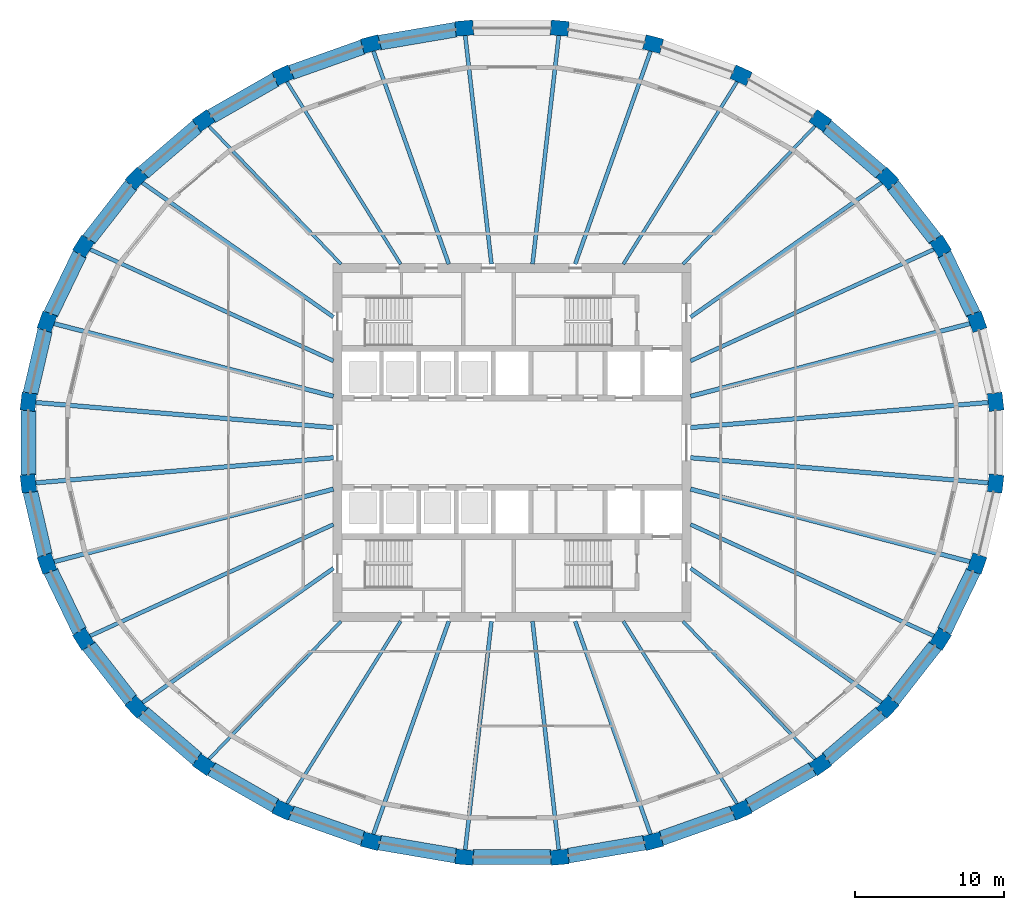
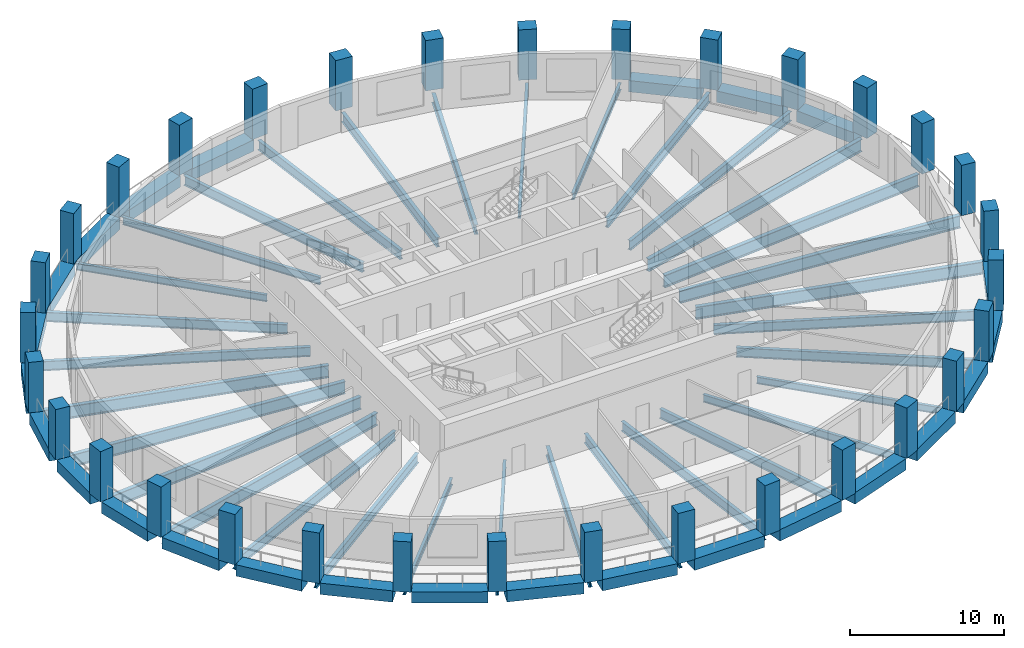
# One storey, part 1 of 10: 57 beams, 32 columns.
"""IFC4 building model written with IfcOpenShell, lengths in metres."""

import ifcopenshell
import ifcopenshell.guid

model = None  # the IFC model being written
_history = None  # IfcOwnerHistory: only IFC2X3 demands one
_inside = {}  # id of a spatial element -> (the spatial element, [elements in it])
_under = {}  # id of a project, library or spatial element -> (it, [spatial elements below it])
_declared = {}  # id of a project -> (the project, [libraries it declares])
_typed = {}  # id of a type object -> (the type object, [elements of that type])
_made_of = {}  # id of a material, layer set ... -> (it, [elements and type objects made of it])


def new_model(schema):
    """Start an empty IFC model of exactly this schema.

    Asked for "IFC4X3", IfcOpenShell would pick the latest addendum, in which some entities
    have other attributes; the version numbers below select the first issue.
    IFC2X3 requires an IfcOwnerHistory on every rooted entity: one is made here for all.
    """
    global model, _history
    if schema == "IFC4X3":
        model = ifcopenshell.file(schema_version=(4, 3, 0, 0))
    else:
        model = ifcopenshell.file(schema=schema)
    _inside.clear()
    _under.clear()
    _declared.clear()
    _typed.clear()
    _made_of.clear()
    _history = None
    if model.schema == "IFC2X3":
        org = make("IfcOrganization", Name="unknown")
        user = make(
            "IfcPersonAndOrganization",
            ThePerson=make("IfcPerson", FamilyName="unknown"),
            TheOrganization=org,
        )
        app = make(
            "IfcApplication",
            ApplicationDeveloper=org,
            Version="unknown",
            ApplicationFullName="unknown",
            ApplicationIdentifier="unknown",
        )
        _history = make(
            "IfcOwnerHistory",
            OwningUser=user,
            OwningApplication=app,
            ChangeAction="ADDED",
            CreationDate=0,
        )
    return model


def make(cls, **values):
    """One entity of the class cls with the attributes given. An attribute that is None is left unset."""
    return model.create_entity(
        cls, **{name: value for name, value in values.items() if value is not None}
    )


def rooted(cls, **values):
    """An entity with a GlobalId (a new one), such as an element, a storey or a relation."""
    return make(cls, GlobalId=ifcopenshell.guid.new(), OwnerHistory=_history, **values)


def si_unit(unit_type, name, prefix=None):
    """IfcSIUnit, for example si_unit("LENGTHUNIT", "METRE", prefix="MILLI")."""
    return make("IfcSIUnit", UnitType=unit_type, Prefix=prefix, Name=name)


def assignment(units):
    """IfcUnitAssignment: the units of a project."""
    return None if units is None else make("IfcUnitAssignment", Units=units)


def point(xyz):
    """IfcCartesianPoint."""
    return None if xyz is None else make("IfcCartesianPoint", Coordinates=xyz)


def direction(xyz):
    """IfcDirection."""
    return None if xyz is None else make("IfcDirection", DirectionRatios=xyz)


def frame(location, z_axis=None, x_axis=None):
    """IfcAxis2Placement3D, a coordinate frame: its origin and axes. An axis left out is left unset."""
    return make(
        "IfcAxis2Placement3D",
        Location=point(location),
        Axis=direction(z_axis),
        RefDirection=direction(x_axis),
    )


def frame_2d(location, x_axis=None):
    """IfcAxis2Placement2D, a coordinate frame in the plane: its origin and x axis."""
    return make(
        "IfcAxis2Placement2D", Location=point(location), RefDirection=direction(x_axis)
    )


def origin():
    """The frame at (0, 0, 0) with its axes left unset."""
    return frame((0.0, 0.0, 0.0))


def origin_2d():
    """The frame at (0, 0) in the plane with its x axis left unset."""
    return frame_2d((0.0, 0.0))


def place(relative_to, where):
    """IfcLocalPlacement: puts the frame where relative to a parent placement (None: the world)."""
    return make(
        "IfcLocalPlacement", PlacementRelTo=relative_to, RelativePlacement=where
    )


def context(
    kind, dimensions, precision=None, world=None, true_north=None, identifier=None
):
    """IfcGeometricRepresentationContext, for example the 3D "Model" context."""
    return make(
        "IfcGeometricRepresentationContext",
        ContextIdentifier=identifier,
        ContextType=kind,
        CoordinateSpaceDimension=dimensions,
        Precision=precision,
        WorldCoordinateSystem=world,
        TrueNorth=true_north,
    )


def subcontext(parent, identifier, kind, view, scale=None):
    """IfcGeometricRepresentationSubContext, for example "Body" below "Model"."""
    return make(
        "IfcGeometricRepresentationSubContext",
        ContextIdentifier=identifier,
        ContextType=kind,
        ParentContext=parent,
        TargetScale=scale,
        TargetView=view,
    )


def project(units=None, contexts=None):
    """IfcProject with its units and contexts."""
    return rooted(
        "IfcProject",
        Name="project",
        RepresentationContexts=contexts,
        UnitsInContext=assignment(units),
    )


def spatial(cls, under=None, at=None, **own):
    """A site, building, storey or space (cls), placed at a placement, below another one or the project."""
    s = rooted(cls, ObjectPlacement=at, **own)
    if under is not None:
        _under.setdefault(under.id(), (under, []))[1].append(s)
    return s


def profile(cls, at=None, kind="AREA", **sizes):
    """A parametric profile (cls). Its sizes go by their IFC names, for example OverallWidth=200.0."""
    return make(cls, ProfileType=kind, Position=at, **sizes)


def rectangle(**sizes):
    """IfcRectangleProfileDef."""
    return profile("IfcRectangleProfileDef", **sizes)


def i_section(**sizes):
    """IfcIShapeProfileDef."""
    return profile("IfcIShapeProfileDef", **sizes)


def extrude(swept, where, along, depth):
    """IfcExtrudedAreaSolid: the profile swept, set in the frame where, extruded along a direction by depth."""
    return make(
        "IfcExtrudedAreaSolid",
        SweptArea=swept,
        Position=where,
        ExtrudedDirection=direction(along),
        Depth=depth,
    )


def shape(context_of_items, identifier, shape_type, items):
    """IfcShapeRepresentation: the items that make up one representation, for example the "Body"."""
    return make(
        "IfcShapeRepresentation",
        ContextOfItems=context_of_items,
        RepresentationIdentifier=identifier,
        RepresentationType=shape_type,
        Items=items,
    )


def material(Name=None, Category=None):
    """IfcMaterial."""
    return make("IfcMaterial", Name=Name, Category=Category)


def material_profile(
    of_material, cross_section, Name=None, Category=None, Priority=None
):
    """IfcMaterialProfile: a cross section and its material."""
    return make(
        "IfcMaterialProfile",
        Name=Name,
        Material=of_material,
        Profile=cross_section,
        Priority=Priority,
        Category=Category,
    )


def profile_set(profiles, Name=None, composite=None):
    """IfcMaterialProfileSet."""
    return make(
        "IfcMaterialProfileSet",
        Name=Name,
        MaterialProfiles=profiles,
        CompositeProfile=composite,
    )


def made_of(thing, what):
    """Note that an element or type object is made of a material, layer set ...; save() writes the relation."""
    if what is not None:
        _made_of.setdefault(what.id(), (what, []))[1].append(thing)
    return thing


def type_object(cls, material=None, **own):
    """A type object (cls), such as IfcWallType, which elements share."""
    return made_of(rooted(cls, **own), material)


def element(
    cls,
    number,
    at=None,
    inside=None,
    cuts=None,
    type_object=None,
    material=None,
    context=None,
    identifier="Body",
    shape_type=None,
    held_by="IfcProductDefinitionShape",
    body=None,
    shapes=None,
    **own,
):
    """One element of the class cls, such as IfcWall. Its Tag is "e" and its number.

    at: its placement. inside: the storey or other place that contains it. cuts: it is an
    opening in that element (IfcRelVoidsElement). A single representation is given by context,
    identifier, shape_type and body (its items); several are given by shapes. held_by: the class
    of the entity that holds the representations. save() writes the other relations.
    """
    e = rooted(cls, Tag="e%d" % number, ObjectPlacement=at, **own)
    if body is not None:
        shapes = [shape(context, identifier, shape_type, body)]
    if shapes is not None:
        e.Representation = make(held_by, Representations=shapes)
    if inside is not None:
        _inside.setdefault(inside.id(), (inside, []))[1].append(e)
    if cuts is not None:
        rooted(
            "IfcRelVoidsElement", RelatingBuildingElement=cuts, RelatedOpeningElement=e
        )
    if type_object is not None:
        _typed.setdefault(type_object.id(), (type_object, []))[1].append(e)
    return made_of(e, material)


def aggregate(whole, parts):
    """IfcRelAggregates: a whole, such as a stair, and the parts it consists of."""
    return rooted("IfcRelAggregates", RelatingObject=whole, RelatedObjects=parts)


def save(model, path):
    """Write the relations noted so far, then the file.

    IfcRelAggregates (storeys below a building ...), IfcRelContainedInSpatialStructure (elements
    in a storey), IfcRelDefinesByType, IfcRelAssociatesMaterial and IfcRelDeclares: one each for
    every whole, place, type object, material and project.
    """
    for whole, parts in _under.values():
        aggregate(whole, parts)
    for where, things in _inside.values():
        rooted(
            "IfcRelContainedInSpatialStructure",
            RelatedElements=things,
            RelatingStructure=where,
        )
    for kind, things in _typed.values():
        rooted("IfcRelDefinesByType", RelatedObjects=things, RelatingType=kind)
    for what, things in _made_of.values():
        rooted("IfcRelAssociatesMaterial", RelatedObjects=things, RelatingMaterial=what)
    for by, libraries in _declared.values():
        rooted("IfcRelDeclares", RelatingContext=by, RelatedDefinitions=libraries)
    model.write(path)


model = new_model("IFC4")

# Units and contexts
model_context = context("Model", 3, precision=1e-05, world=origin(), true_north=direction((0.0, 1.0)))
body_context = subcontext(model_context, "Body", "Model", "MODEL_VIEW")
ifc_project = project(units=[si_unit("LENGTHUNIT", "METRE"), si_unit("AREAUNIT", "SQUARE_METRE"), si_unit("VOLUMEUNIT", "CUBIC_METRE"), si_unit("PLANEANGLEUNIT", "RADIAN"), si_unit("MASSUNIT", "GRAM", prefix="KILO")], contexts=[model_context])

# Site, building, storey
site_placement = place(None, origin())
site = spatial("IfcSite", under=ifc_project, at=site_placement, CompositionType="ELEMENT")
building_placement = place(site_placement, origin())
building = spatial("IfcBuilding", under=site, at=building_placement, Name="Halqa Exchange Tower", CompositionType="ELEMENT")
storey_placement = place(building_placement, frame((0.0, 0.0, 190.89990234375)))
storey = spatial("IfcBuildingStorey", under=building, at=storey_placement, Name="L43", CompositionType="ELEMENT", Elevation=190.89990234375)

# Columns
ifc_material_1 = material(Name="Concrete C60/75", Category="concrete")
ifc_material_profile_1 = material_profile(ifc_material_1, rectangle(XDim=1.199951171875, YDim=1.0, at=origin_2d()), Name="1200 x 1000")
ifc_profile_set_1 = profile_set([ifc_material_profile_1], Name="Concrete C60/75")
column_type = type_object("IfcColumnType", Name="RC ring column 1200 x 1000 C60/75", PredefinedType="COLUMN", material=ifc_profile_set_1)
for number, where, z_axis, x_axis, name in (
    (1, (32.422119140625, 2.737060546875, 0.0), (0.0, 0.0, 1.0), (-0.114149986297, 0.993463527578, 0.0), "Ring column 1"),
    (2, (31.176025390625, 8.106201171875, 0.0), (0.0, 0.0, 1.0), (-0.333625878908, 0.942705560036, 0.0), "Ring column 2"),
    (3, (28.73193359375, 13.163818359375, 0.0), (0.0, 0.0, 1.0), (-0.529144939165, 0.848531456904, 0.0), "Ring column 3"),
    (4, (25.183837890625, 17.71533203125, 0.0), (0.0, 0.0, 1.0), (-0.691576091297, 0.722303613411, 0.0), "Ring column 4"),
    (5, (20.667724609375, 21.586181640625, 0.0), (0.0, 0.0, 1.0), (-0.817905775493, 0.575352189893, 0.0), "Ring column 5"),
    (6, (15.357666015625, 24.62744140625, 0.0), (0.0, 0.0, 1.0), (-0.909125641902, 0.416521988898, 0.0), "Ring column 6"),
    (7, (9.457275390625, 26.722412109375, 0.0), (0.0, 0.0, 1.0), (-0.96782082117, 0.251640334823, 0.0), "Ring column 7"),
    (8, (3.193359375, 27.790283203125, 0.0), (0.0, 0.0, 1.0), (-0.99645595943, 0.084116115675, 0.0), "Ring column 8"),
    (9, (-3.193359375, 27.790283203125, 0.0), (0.0, 0.0, 1.0), (-0.99645595943, -0.084116115675, 0.0), "Ring column 9"),
    (10, (-9.457275390625, 26.722412109375, 0.0), (0.0, 0.0, 1.0), (-0.96782082117, -0.251640334823, 0.0), "Ring column 10"),
    (11, (-15.357666015625, 24.62744140625, 0.0), (0.0, 0.0, 1.0), (-0.909125641902, -0.416521988898, 0.0), "Ring column 11"),
    (12, (-20.667724609375, 21.586181640625, 0.0), (0.0, 0.0, 1.0), (-0.817905775493, -0.575352189893, 0.0), "Ring column 12"),
    (13, (-25.183837890625, 17.71533203125, 0.0), (0.0, 0.0, 1.0), (-0.691576091297, -0.722303613411, 0.0), "Ring column 13"),
    (14, (-28.73193359375, 13.163818359375, 0.0), (0.0, 0.0, 1.0), (-0.529144939165, -0.848531456904, 0.0), "Ring column 14"),
    (15, (-31.176025390625, 8.106201171875, 0.0), (0.0, 0.0, 1.0), (-0.333625878908, -0.942705560036, 0.0), "Ring column 15"),
    (16, (-32.422119140625, 2.737060546875, 0.0), (0.0, 0.0, 1.0), (-0.114149986297, -0.993463527578, 0.0), "Ring column 16"),
    (17, (-32.422119140625, -2.737060546875, 0.0), (0.0, 0.0, 1.0), (0.114149986297, -0.993463527578, 0.0), "Ring column 17"),
    (18, (-31.176025390625, -8.106201171875, 0.0), (0.0, 0.0, 1.0), (0.333625878908, -0.942705560036, 0.0), "Ring column 18"),
    (19, (-28.73193359375, -13.163818359375, 0.0), (0.0, 0.0, 1.0), (0.529144939165, -0.848531456904, 0.0), "Ring column 19"),
    (20, (-25.183837890625, -17.71533203125, 0.0), (0.0, 0.0, 1.0), (0.691576091297, -0.722303613411, 0.0), "Ring column 20"),
    (21, (-20.667724609375, -21.586181640625, 0.0), (0.0, 0.0, 1.0), (0.817905775493, -0.575352189893, 0.0), "Ring column 21"),
    (22, (-15.357666015625, -24.62744140625, 0.0), (0.0, 0.0, 1.0), (0.909125641902, -0.416521988898, 0.0), "Ring column 22"),
    (23, (-9.457275390625, -26.722412109375, 0.0), (0.0, 0.0, 1.0), (0.96782082117, -0.251640334823, 0.0), "Ring column 23"),
    (24, (-3.193359375, -27.790283203125, 0.0), (0.0, 0.0, 1.0), (0.99645595943, -0.084116115675, 0.0), "Ring column 24"),
    (25, (3.193359375, -27.790283203125, 0.0), (0.0, 0.0, 1.0), (0.99645595943, 0.084116115675, 0.0), "Ring column 25"),
    (26, (9.457275390625, -26.722412109375, 0.0), (0.0, 0.0, 1.0), (0.96782082117, 0.251640334823, 0.0), "Ring column 26"),
    (27, (15.357666015625, -24.62744140625, 0.0), (0.0, 0.0, 1.0), (0.909125641902, 0.416521988898, 0.0), "Ring column 27"),
    (28, (20.667724609375, -21.586181640625, 0.0), (0.0, 0.0, 1.0), (0.817905775493, 0.575352189893, 0.0), "Ring column 28"),
    (29, (25.183837890625, -17.71533203125, 0.0), (0.0, 0.0, 1.0), (0.691576091297, 0.722303613411, 0.0), "Ring column 29"),
    (30, (28.73193359375, -13.163818359375, 0.0), (0.0, 0.0, 1.0), (0.529144939165, 0.848531456904, 0.0), "Ring column 30"),
    (31, (31.176025390625, -8.106201171875, 0.0), (0.0, 0.0, 1.0), (0.333625878908, 0.942705560036, 0.0), "Ring column 31"),
    (32, (32.422119140625, -2.737060546875, 0.0), (0.0, 0.0, 1.0), (0.114149986297, 0.993463527578, 0.0), "Ring column 32"),
):
    element("IfcColumn", number, at=place(storey_placement, frame(where, z_axis=z_axis, x_axis=x_axis)), inside=storey, type_object=column_type, Name=name, PredefinedType="COLUMN", context=body_context, shape_type="SweptSolid", body=[
        extrude(rectangle(XDim=1.199951171875, YDim=1.0, at=origin_2d()), origin(), (0.0, 0.0, 1.0), 4.0),
    ])

# Beams
ifc_material_2 = material(Name="Steel S355", Category="steel")
ifc_material_profile_2 = material_profile(ifc_material_2, i_section(OverallWidth=0.300048828125, OverallDepth=0.989990234375, WebThickness=0.0166015625, FlangeThickness=0.031005859375, FilletRadius=0.030029296875, at=origin_2d()), Name="HEA 1000")
ifc_profile_set_2 = profile_set([ifc_material_profile_2], Name="Steel S355")
beam_type_1 = type_object("IfcBeamType", Name="Floor beam HEA 1000", PredefinedType="BEAM", material=ifc_profile_set_2)
beam_1_placement = place(storey_placement, frame((11.972412109375, 1.0107421875, -0.794921875), z_axis=(0.996455519118, 0.084121331533, 0.0), x_axis=(-0.084121331533, 0.996455519118, 0.0)))
element("IfcBeam", 33, at=beam_1_placement, inside=storey, type_object=beam_type_1, Name="Radial beam 1", PredefinedType="BEAM", context=body_context, shape_type="SweptSolid", body=[
    extrude(i_section(OverallWidth=0.300048828125, OverallDepth=0.989990234375, WebThickness=0.0166015625, FlangeThickness=0.031005859375, FilletRadius=0.030029296875, at=origin_2d()), origin(), (0.0, 0.0, 1.0), 20.150390625),
])
for number, where, z_axis, x_axis, name in (
    (34, (11.97119140625, 3.112548828125, -0.794921875), (0.967819636099, 0.251644892619, 0.0), (-0.251644892619, 0.967819636099, 0.0), "Radial beam 2"),
    (35, (-11.97119140625, 3.112548828125, -0.794921875), (-0.967819636099, 0.251644892619, 0.0), (-0.251644892619, -0.967819636099, 0.0), "Radial beam 15"),
):
    element("IfcBeam", number, at=place(storey_placement, frame(where, z_axis=z_axis, x_axis=x_axis)), inside=storey, type_object=beam_type_1, Name=name, PredefinedType="BEAM", context=body_context, shape_type="SweptSolid", body=[
        extrude(i_section(OverallWidth=0.300048828125, OverallDepth=0.989990234375, WebThickness=0.0166015625, FlangeThickness=0.031005859375, FilletRadius=0.030029296875, at=origin_2d()), origin(), (0.0, 0.0, 1.0), 19.469482421875),
    ])
for number, where, z_axis, x_axis, name in (
    (36, (-11.972412109375, 1.0107421875, -0.794921875), (-0.996455519118, 0.084121331533, 0.0), (-0.084121331533, -0.996455519118, 0.0), "Radial beam 16"),
    (37, (-11.972412109375, -1.0107421875, -0.794921875), (-0.996455519118, -0.084121331533, 0.0), (0.084121331533, -0.996455519118, 0.0), "Radial beam 17"),
):
    element("IfcBeam", number, at=place(storey_placement, frame(where, z_axis=z_axis, x_axis=x_axis)), inside=storey, type_object=beam_type_1, Name=name, PredefinedType="BEAM", context=body_context, shape_type="SweptSolid", body=[
        extrude(i_section(OverallWidth=0.300048828125, OverallDepth=0.989990234375, WebThickness=0.0166015625, FlangeThickness=0.031005859375, FilletRadius=0.030029296875, at=origin_2d()), origin(), (0.0, 0.0, 1.0), 20.150390625),
    ])
for number, where, z_axis, x_axis, name in (
    (38, (-11.97119140625, -3.112548828125, -0.794921875), (-0.967819636099, -0.251644892619, 0.0), (0.251644892619, -0.967819636099, 0.0), "Radial beam 18"),
    (39, (11.97119140625, -3.112548828125, -0.794921875), (0.967819636099, -0.251644892619, 0.0), (0.251644892619, 0.967819636099, 0.0), "Radial beam 31"),
):
    element("IfcBeam", number, at=place(storey_placement, frame(where, z_axis=z_axis, x_axis=x_axis)), inside=storey, type_object=beam_type_1, Name=name, PredefinedType="BEAM", context=body_context, shape_type="SweptSolid", body=[
        extrude(i_section(OverallWidth=0.300048828125, OverallDepth=0.989990234375, WebThickness=0.0166015625, FlangeThickness=0.031005859375, FilletRadius=0.030029296875, at=origin_2d()), origin(), (0.0, 0.0, 1.0), 19.469482421875),
    ])
beam_2_placement = place(storey_placement, frame((11.972412109375, -1.0107421875, -0.794921875), z_axis=(0.996455519118, -0.084121331533, 0.0), x_axis=(0.084121331533, 0.996455519118, 0.0)))
element("IfcBeam", 40, at=beam_2_placement, inside=storey, type_object=beam_type_1, Name="Radial beam 32", PredefinedType="BEAM", context=body_context, shape_type="SweptSolid", body=[
    extrude(i_section(OverallWidth=0.300048828125, OverallDepth=0.989990234375, WebThickness=0.0166015625, FlangeThickness=0.031005859375, FilletRadius=0.030029296875, at=origin_2d()), origin(), (0.0, 0.0, 1.0), 20.150390625),
])
ifc_material_profile_3 = material_profile(ifc_material_2, i_section(OverallWidth=0.2099609375, OverallDepth=0.550048828125, WebThickness=0.010986328125, FlangeThickness=0.01708984375, FilletRadius=0.02392578125, at=origin_2d()), Name="IPE 550")
ifc_profile_set_3 = profile_set([ifc_material_profile_3], Name="Steel S355")
beam_type_2 = type_object("IfcBeamType", Name="Floor beam IPE 550", PredefinedType="BEAM", material=ifc_profile_set_3)
for number, where, z_axis, x_axis, name in (
    (41, (11.462646484375, 11.971923828125, -0.574951171875), (0.691565841916, 0.722313426634, 0.0), (-0.722313426634, 0.691565841916, 0.0), "Radial beam 5"),
    (42, (-11.462646484375, 11.971923828125, -0.574951171875), (-0.691565841916, 0.722313426634, 0.0), (-0.722313426634, -0.691565841916, 0.0), "Radial beam 12"),
    (43, (-11.462646484375, -11.971923828125, -0.574951171875), (-0.691565841916, -0.722313426634, 0.0), (0.722313426634, -0.691565841916, 0.0), "Radial beam 21"),
    (44, (11.462646484375, -11.971923828125, -0.574951171875), (0.691565841916, -0.722313426634, 0.0), (0.722313426634, 0.691565841916, 0.0), "Radial beam 28"),
):
    element("IfcBeam", number, at=place(storey_placement, frame(where, z_axis=z_axis, x_axis=x_axis)), inside=storey, type_object=beam_type_2, Name=name, PredefinedType="BEAM", context=body_context, shape_type="SweptSolid", body=[
        extrude(i_section(OverallWidth=0.2099609375, OverallDepth=0.550048828125, WebThickness=0.010986328125, FlangeThickness=0.01708984375, FilletRadius=0.02392578125, at=origin_2d()), origin(), (0.0, 0.0, 1.0), 12.9345703125),
    ])
ifc_material_profile_4 = material_profile(ifc_material_2, i_section(OverallWidth=0.219970703125, OverallDepth=0.60009765625, WebThickness=0.011962890625, FlangeThickness=0.01904296875, FilletRadius=0.02392578125, at=origin_2d()), Name="IPE 600")
ifc_profile_set_4 = profile_set([ifc_material_profile_4], Name="Steel S355")
beam_type_3 = type_object("IfcBeamType", Name="Floor beam IPE 600", PredefinedType="BEAM", material=ifc_profile_set_4)
for number, where, z_axis, x_axis, name in (
    (45, (7.4658203125, 11.972412109375, -0.599853515625), (0.529145816582, 0.848530909746, 0.0), (-0.848530909746, 0.529145816582, 0.0), "Radial beam 6"),
    (46, (-7.4658203125, 11.972412109375, -0.599853515625), (-0.529145816582, 0.848530909746, 0.0), (-0.848530909746, -0.529145816582, 0.0), "Radial beam 11"),
    (47, (-7.4658203125, -11.972412109375, -0.599853515625), (-0.529145816582, -0.848530909746, 0.0), (0.848530909746, -0.529145816582, 0.0), "Radial beam 22"),
    (48, (7.4658203125, -11.972412109375, -0.599853515625), (0.529145816582, -0.848530909746, 0.0), (0.848530909746, 0.529145816582, 0.0), "Radial beam 27"),
):
    element("IfcBeam", number, at=place(storey_placement, frame(where, z_axis=z_axis, x_axis=x_axis)), inside=storey, type_object=beam_type_3, Name=name, PredefinedType="BEAM", context=body_context, shape_type="SweptSolid", body=[
        extrude(i_section(OverallWidth=0.219970703125, OverallDepth=0.60009765625, WebThickness=0.011962890625, FlangeThickness=0.01904296875, FilletRadius=0.02392578125, at=origin_2d()), origin(), (0.0, 0.0, 1.0), 14.538330078125),
    ])
ifc_material_profile_5 = material_profile(ifc_material_2, i_section(OverallWidth=0.264892578125, OverallDepth=0.7529296875, WebThickness=0.01318359375, FlangeThickness=0.01708984375, FilletRadius=0.01708984375, at=origin_2d()), Name="IPE 750x147")
ifc_profile_set_5 = profile_set([ifc_material_profile_5], Name="Steel S355")
beam_type_4 = type_object("IfcBeamType", Name="Floor beam IPE 750x147", PredefinedType="BEAM", material=ifc_profile_set_5)
beam_3_placement = place(storey_placement, frame((11.972412109375, 5.4853515625, -0.676513671875), z_axis=(0.909129033384, 0.416514586369, 0.0), x_axis=(-0.416514586369, 0.909129033384, 0.0)))
element("IfcBeam", 49, at=beam_3_placement, inside=storey, type_object=beam_type_4, Name="Radial beam 3", PredefinedType="BEAM", context=body_context, shape_type="SweptSolid", body=[
    extrude(i_section(OverallWidth=0.264892578125, OverallDepth=0.7529296875, WebThickness=0.01318359375, FlangeThickness=0.01708984375, FilletRadius=0.01708984375, at=origin_2d()), origin(), (0.0, 0.0, 1.0), 18.058837890625),
])
beam_4_placement = place(storey_placement, frame((11.97216796875, 8.421630859375, -0.676513671875), z_axis=(0.817902974143, 0.5753561722, 0.0), x_axis=(-0.5753561722, 0.817902974143, 0.0)))
element("IfcBeam", 50, at=beam_4_placement, inside=storey, type_object=beam_type_4, Name="Radial beam 4", PredefinedType="BEAM", context=body_context, shape_type="SweptSolid", body=[
    extrude(i_section(OverallWidth=0.264892578125, OverallDepth=0.7529296875, WebThickness=0.01318359375, FlangeThickness=0.01708984375, FilletRadius=0.01708984375, at=origin_2d()), origin(), (0.0, 0.0, 1.0), 15.777099609375),
])
beam_5_placement = place(storey_placement, frame((4.23681640625, 11.9716796875, -0.676513671875), z_axis=(0.333634381402, 0.942702550939, 0.0), x_axis=(-0.942702550939, 0.333634381402, 0.0)))
element("IfcBeam", 51, at=beam_5_placement, inside=storey, type_object=beam_type_4, Name="Radial beam 7", PredefinedType="BEAM", context=body_context, shape_type="SweptSolid", body=[
    extrude(i_section(OverallWidth=0.264892578125, OverallDepth=0.7529296875, WebThickness=0.01318359375, FlangeThickness=0.01708984375, FilletRadius=0.01708984375, at=origin_2d()), origin(), (0.0, 0.0, 1.0), 15.273193359375),
])
for number, where, z_axis, x_axis, name in (
    (52, (1.375732421875, 11.972900390625, -0.676513671875), (0.114161639425, 0.993462188553, 0.0), (-0.993462188553, 0.114161639425, 0.0), "Radial beam 8"),
    (53, (-1.375732421875, 11.972900390625, -0.676513671875), (-0.114161639425, 0.993462188553, 0.0), (-0.993462188553, -0.114161639425, 0.0), "Radial beam 9"),
):
    element("IfcBeam", number, at=place(storey_placement, frame(where, z_axis=z_axis, x_axis=x_axis)), inside=storey, type_object=beam_type_4, Name=name, PredefinedType="BEAM", context=body_context, shape_type="SweptSolid", body=[
        extrude(i_section(OverallWidth=0.264892578125, OverallDepth=0.7529296875, WebThickness=0.01318359375, FlangeThickness=0.01708984375, FilletRadius=0.01708984375, at=origin_2d()), origin(), (0.0, 0.0, 1.0), 15.54931640625),
    ])
beam_6_placement = place(storey_placement, frame((-4.23681640625, 11.9716796875, -0.676513671875), z_axis=(-0.333634381402, 0.942702550939, 0.0), x_axis=(-0.942702550939, -0.333634381402, 0.0)))
element("IfcBeam", 54, at=beam_6_placement, inside=storey, type_object=beam_type_4, Name="Radial beam 10", PredefinedType="BEAM", context=body_context, shape_type="SweptSolid", body=[
    extrude(i_section(OverallWidth=0.264892578125, OverallDepth=0.7529296875, WebThickness=0.01318359375, FlangeThickness=0.01708984375, FilletRadius=0.01708984375, at=origin_2d()), origin(), (0.0, 0.0, 1.0), 15.273193359375),
])
beam_7_placement = place(storey_placement, frame((-11.97216796875, 8.421630859375, -0.676513671875), z_axis=(-0.817902974143, 0.5753561722, 0.0), x_axis=(-0.5753561722, -0.817902974143, 0.0)))
element("IfcBeam", 55, at=beam_7_placement, inside=storey, type_object=beam_type_4, Name="Radial beam 13", PredefinedType="BEAM", context=body_context, shape_type="SweptSolid", body=[
    extrude(i_section(OverallWidth=0.264892578125, OverallDepth=0.7529296875, WebThickness=0.01318359375, FlangeThickness=0.01708984375, FilletRadius=0.01708984375, at=origin_2d()), origin(), (0.0, 0.0, 1.0), 15.777099609375),
])
for number, where, z_axis, x_axis, name in (
    (56, (-11.972412109375, 5.4853515625, -0.676513671875), (-0.909129033384, 0.416514586369, 0.0), (-0.416514586369, -0.909129033384, 0.0), "Radial beam 14"),
    (57, (-11.972412109375, -5.4853515625, -0.676513671875), (-0.909129033384, -0.416514586369, 0.0), (0.416514586369, -0.909129033384, 0.0), "Radial beam 19"),
):
    element("IfcBeam", number, at=place(storey_placement, frame(where, z_axis=z_axis, x_axis=x_axis)), inside=storey, type_object=beam_type_4, Name=name, PredefinedType="BEAM", context=body_context, shape_type="SweptSolid", body=[
        extrude(i_section(OverallWidth=0.264892578125, OverallDepth=0.7529296875, WebThickness=0.01318359375, FlangeThickness=0.01708984375, FilletRadius=0.01708984375, at=origin_2d()), origin(), (0.0, 0.0, 1.0), 18.058837890625),
    ])
beam_8_placement = place(storey_placement, frame((-11.97216796875, -8.421630859375, -0.676513671875), z_axis=(-0.817902974143, -0.5753561722, 0.0), x_axis=(0.5753561722, -0.817902974143, 0.0)))
element("IfcBeam", 58, at=beam_8_placement, inside=storey, type_object=beam_type_4, Name="Radial beam 20", PredefinedType="BEAM", context=body_context, shape_type="SweptSolid", body=[
    extrude(i_section(OverallWidth=0.264892578125, OverallDepth=0.7529296875, WebThickness=0.01318359375, FlangeThickness=0.01708984375, FilletRadius=0.01708984375, at=origin_2d()), origin(), (0.0, 0.0, 1.0), 15.777099609375),
])
beam_9_placement = place(storey_placement, frame((-4.23681640625, -11.9716796875, -0.676513671875), z_axis=(-0.333634381402, -0.942702550939, 0.0), x_axis=(0.942702550939, -0.333634381402, 0.0)))
element("IfcBeam", 59, at=beam_9_placement, inside=storey, type_object=beam_type_4, Name="Radial beam 23", PredefinedType="BEAM", context=body_context, shape_type="SweptSolid", body=[
    extrude(i_section(OverallWidth=0.264892578125, OverallDepth=0.7529296875, WebThickness=0.01318359375, FlangeThickness=0.01708984375, FilletRadius=0.01708984375, at=origin_2d()), origin(), (0.0, 0.0, 1.0), 15.273193359375),
])
for number, where, z_axis, x_axis, name in (
    (60, (-1.375732421875, -11.972900390625, -0.676513671875), (-0.114161639425, -0.993462188553, 0.0), (0.993462188553, -0.114161639425, 0.0), "Radial beam 24"),
    (61, (1.375732421875, -11.972900390625, -0.676513671875), (0.114161639425, -0.993462188553, 0.0), (0.993462188553, 0.114161639425, 0.0), "Radial beam 25"),
):
    element("IfcBeam", number, at=place(storey_placement, frame(where, z_axis=z_axis, x_axis=x_axis)), inside=storey, type_object=beam_type_4, Name=name, PredefinedType="BEAM", context=body_context, shape_type="SweptSolid", body=[
        extrude(i_section(OverallWidth=0.264892578125, OverallDepth=0.7529296875, WebThickness=0.01318359375, FlangeThickness=0.01708984375, FilletRadius=0.01708984375, at=origin_2d()), origin(), (0.0, 0.0, 1.0), 15.54931640625),
    ])
beam_10_placement = place(storey_placement, frame((4.23681640625, -11.9716796875, -0.676513671875), z_axis=(0.333634381402, -0.942702550939, 0.0), x_axis=(0.942702550939, 0.333634381402, 0.0)))
element("IfcBeam", 62, at=beam_10_placement, inside=storey, type_object=beam_type_4, Name="Radial beam 26", PredefinedType="BEAM", context=body_context, shape_type="SweptSolid", body=[
    extrude(i_section(OverallWidth=0.264892578125, OverallDepth=0.7529296875, WebThickness=0.01318359375, FlangeThickness=0.01708984375, FilletRadius=0.01708984375, at=origin_2d()), origin(), (0.0, 0.0, 1.0), 15.273193359375),
])
beam_11_placement = place(storey_placement, frame((11.97216796875, -8.421630859375, -0.676513671875), z_axis=(0.817902974143, -0.5753561722, 0.0), x_axis=(0.5753561722, 0.817902974143, 0.0)))
element("IfcBeam", 63, at=beam_11_placement, inside=storey, type_object=beam_type_4, Name="Radial beam 29", PredefinedType="BEAM", context=body_context, shape_type="SweptSolid", body=[
    extrude(i_section(OverallWidth=0.264892578125, OverallDepth=0.7529296875, WebThickness=0.01318359375, FlangeThickness=0.01708984375, FilletRadius=0.01708984375, at=origin_2d()), origin(), (0.0, 0.0, 1.0), 15.777099609375),
])
beam_12_placement = place(storey_placement, frame((11.972412109375, -5.4853515625, -0.676513671875), z_axis=(0.909129033384, -0.416514586369, 0.0), x_axis=(0.416514586369, 0.909129033384, 0.0)))
element("IfcBeam", 64, at=beam_12_placement, inside=storey, type_object=beam_type_4, Name="Radial beam 30", PredefinedType="BEAM", context=body_context, shape_type="SweptSolid", body=[
    extrude(i_section(OverallWidth=0.264892578125, OverallDepth=0.7529296875, WebThickness=0.01318359375, FlangeThickness=0.01708984375, FilletRadius=0.01708984375, at=origin_2d()), origin(), (0.0, 0.0, 1.0), 18.058837890625),
])
ifc_material_profile_6 = material_profile(ifc_material_1, rectangle(XDim=1.0, YDim=0.89990234375, at=origin_2d()), Name="1000 x 900")
ifc_profile_set_6 = profile_set([ifc_material_profile_6], Name="Concrete C60/75")
beam_type_5 = type_object("IfcBeamType", Name="RC spandrel beam 1000 x 900 C60/75", PredefinedType="SPANDREL", material=ifc_profile_set_6)
beam_13_placement = place(storey_placement, frame((30.926025390625, 8.62353515625, -0.449951171875), z_axis=(-0.435105156269, 0.90037964381, 0.0), x_axis=(-0.90037964381, -0.435105156269, 0.0)))
element("IfcBeam", 65, at=beam_13_placement, inside=storey, type_object=beam_type_5, Name="Spandrel 2", PredefinedType="SPANDREL", context=body_context, shape_type="SweptSolid", body=[
    extrude(rectangle(XDim=1.0, YDim=0.89990234375, at=origin_2d()), origin(), (0.0, 0.0, 1.0), 4.467041015625),
])
beam_14_placement = place(storey_placement, frame((28.37890625, 13.61669921875, -0.449951171875), z_axis=(-0.61482158331, 0.788666228956, 0.0), x_axis=(-0.788666228956, -0.61482158331, 0.0)))
element("IfcBeam", 66, at=beam_14_placement, inside=storey, type_object=beam_type_5, Name="Spandrel 3", PredefinedType="SPANDREL", context=body_context, shape_type="SweptSolid", body=[
    extrude(rectangle(XDim=1.0, YDim=0.89990234375, at=origin_2d()), origin(), (0.0, 0.0, 1.0), 4.621826171875),
])
beam_15_placement = place(storey_placement, frame((24.748046875, 18.088623046875, -0.449951171875), z_axis=(-0.759224286628, 0.650829073255, 0.0), x_axis=(-0.650829073255, -0.759224286628, 0.0)))
element("IfcBeam", 67, at=beam_15_placement, inside=storey, type_object=beam_type_5, Name="Spandrel 4", PredefinedType="SPANDREL", context=body_context, shape_type="SweptSolid", body=[
    extrude(rectangle(XDim=1.0, YDim=0.89990234375, at=origin_2d()), origin(), (0.0, 0.0, 1.0), 4.7998046875),
])
beam_16_placement = place(storey_placement, frame((-3.7587890625, 27.69384765625, -0.449951171875), z_axis=(-0.98577756744, -0.168055310931, 0.0), x_axis=(0.168055310931, -0.98577756744, 0.0)))
element("IfcBeam", 68, at=beam_16_placement, inside=storey, type_object=beam_type_5, Name="Spandrel 9", PredefinedType="SPANDREL", context=body_context, shape_type="SweptSolid", body=[
    extrude(rectangle(XDim=1.0, YDim=0.89990234375, at=origin_2d()), origin(), (0.0, 0.0, 1.0), 5.20654296875),
])
beam_17_placement = place(storey_placement, frame((-9.998779296875, 26.530029296875, -0.449951171875), z_axis=(-0.942368993824, -0.334575371895, 0.0), x_axis=(0.334575371895, -0.942368993824, 0.0)))
element("IfcBeam", 69, at=beam_17_placement, inside=storey, type_object=beam_type_5, Name="Spandrel 10", PredefinedType="SPANDREL", context=body_context, shape_type="SweptSolid", body=[
    extrude(rectangle(XDim=1.0, YDim=0.89990234375, at=origin_2d()), origin(), (0.0, 0.0, 1.0), 5.113037109375),
])
beam_18_placement = place(storey_placement, frame((-15.85595703125, 24.342041015625, -0.449951171875), z_axis=(-0.867771135112, -0.496964040013, 0.0), x_axis=(0.496964040013, -0.867771135112, 0.0)))
element("IfcBeam", 70, at=beam_18_placement, inside=storey, type_object=beam_type_5, Name="Spandrel 11", PredefinedType="SPANDREL", context=body_context, shape_type="SweptSolid", body=[
    extrude(rectangle(XDim=1.0, YDim=0.89990234375, at=origin_2d()), origin(), (0.0, 0.0, 1.0), 4.9697265625),
])
beam_19_placement = place(storey_placement, frame((-21.10400390625, 21.21240234375, -0.449951171875), z_axis=(-0.759224286628, -0.650829073255, 0.0), x_axis=(0.650829073255, -0.759224286628, 0.0)))
element("IfcBeam", 71, at=beam_19_placement, inside=storey, type_object=beam_type_5, Name="Spandrel 12", PredefinedType="SPANDREL", context=body_context, shape_type="SweptSolid", body=[
    extrude(rectangle(XDim=1.0, YDim=0.89990234375, at=origin_2d()), origin(), (0.0, 0.0, 1.0), 4.7998046875),
])
beam_20_placement = place(storey_placement, frame((-25.537353515625, 17.26171875, -0.449951171875), z_axis=(-0.61482158331, -0.788666228956, 0.0), x_axis=(0.788666228956, -0.61482158331, 0.0)))
element("IfcBeam", 72, at=beam_20_placement, inside=storey, type_object=beam_type_5, Name="Spandrel 13", PredefinedType="SPANDREL", context=body_context, shape_type="SweptSolid", body=[
    extrude(rectangle(XDim=1.0, YDim=0.89990234375, at=origin_2d()), origin(), (0.0, 0.0, 1.0), 4.621826171875),
])
beam_21_placement = place(storey_placement, frame((-28.982421875, 12.6455078125, -0.449951171875), z_axis=(-0.435105156269, -0.90037964381, 0.0), x_axis=(0.90037964381, -0.435105156269, 0.0)))
element("IfcBeam", 73, at=beam_21_placement, inside=storey, type_object=beam_type_5, Name="Spandrel 14", PredefinedType="SPANDREL", context=body_context, shape_type="SweptSolid", body=[
    extrude(rectangle(XDim=1.0, YDim=0.89990234375, at=origin_2d()), origin(), (0.0, 0.0, 1.0), 4.467041015625),
])
beam_22_placement = place(storey_placement, frame((-31.30615234375, 7.54541015625, -0.449951171875), z_axis=(-0.226069928804, -0.974111075438, 0.0), x_axis=(0.974111075438, -0.226069928804, 0.0)))
element("IfcBeam", 74, at=beam_22_placement, inside=storey, type_object=beam_type_5, Name="Spandrel 15", PredefinedType="SPANDREL", context=body_context, shape_type="SweptSolid", body=[
    extrude(rectangle(XDim=1.0, YDim=0.89990234375, at=origin_2d()), origin(), (0.0, 0.0, 1.0), 4.359619140625),
])
beam_23_placement = place(storey_placement, frame((-32.422119140625, 2.160400390625, -0.449951171875), z_axis=(0.0, -1.0, 0.0), x_axis=(1.0, 0.0, 0.0)))
element("IfcBeam", 75, at=beam_23_placement, inside=storey, type_object=beam_type_5, Name="Spandrel 16", PredefinedType="SPANDREL", context=body_context, shape_type="SweptSolid", body=[
    extrude(rectangle(XDim=1.0, YDim=0.89990234375, at=origin_2d()), origin(), (0.0, 0.0, 1.0), 4.32080078125),
])
beam_24_placement = place(storey_placement, frame((-32.291748046875, -3.298583984375, -0.449951171875), z_axis=(0.226069928804, -0.974111075438, 0.0), x_axis=(0.974111075438, 0.226069928804, 0.0)))
element("IfcBeam", 76, at=beam_24_placement, inside=storey, type_object=beam_type_5, Name="Spandrel 17", PredefinedType="SPANDREL", context=body_context, shape_type="SweptSolid", body=[
    extrude(rectangle(XDim=1.0, YDim=0.89990234375, at=origin_2d()), origin(), (0.0, 0.0, 1.0), 4.359619140625),
])
beam_25_placement = place(storey_placement, frame((-30.926025390625, -8.62353515625, -0.449951171875), z_axis=(0.435105156269, -0.90037964381, 0.0), x_axis=(0.90037964381, 0.435105156269, 0.0)))
element("IfcBeam", 77, at=beam_25_placement, inside=storey, type_object=beam_type_5, Name="Spandrel 18", PredefinedType="SPANDREL", context=body_context, shape_type="SweptSolid", body=[
    extrude(rectangle(XDim=1.0, YDim=0.89990234375, at=origin_2d()), origin(), (0.0, 0.0, 1.0), 4.467041015625),
])
beam_26_placement = place(storey_placement, frame((-28.37890625, -13.61669921875, -0.449951171875), z_axis=(0.61482158331, -0.788666228956, 0.0), x_axis=(0.788666228956, 0.61482158331, 0.0)))
element("IfcBeam", 78, at=beam_26_placement, inside=storey, type_object=beam_type_5, Name="Spandrel 19", PredefinedType="SPANDREL", context=body_context, shape_type="SweptSolid", body=[
    extrude(rectangle(XDim=1.0, YDim=0.89990234375, at=origin_2d()), origin(), (0.0, 0.0, 1.0), 4.621826171875),
])
beam_27_placement = place(storey_placement, frame((-24.748046875, -18.088623046875, -0.449951171875), z_axis=(0.759224286628, -0.650829073255, 0.0), x_axis=(0.650829073255, 0.759224286628, 0.0)))
element("IfcBeam", 79, at=beam_27_placement, inside=storey, type_object=beam_type_5, Name="Spandrel 20", PredefinedType="SPANDREL", context=body_context, shape_type="SweptSolid", body=[
    extrude(rectangle(XDim=1.0, YDim=0.89990234375, at=origin_2d()), origin(), (0.0, 0.0, 1.0), 4.7998046875),
])
beam_28_placement = place(storey_placement, frame((-20.16845703125, -21.872314453125, -0.449951171875), z_axis=(0.867771135112, -0.496964040013, 0.0), x_axis=(0.496964040013, 0.867771135112, 0.0)))
element("IfcBeam", 80, at=beam_28_placement, inside=storey, type_object=beam_type_5, Name="Spandrel 21", PredefinedType="SPANDREL", context=body_context, shape_type="SweptSolid", body=[
    extrude(rectangle(XDim=1.0, YDim=0.89990234375, at=origin_2d()), origin(), (0.0, 0.0, 1.0), 4.9697265625),
])
beam_29_placement = place(storey_placement, frame((-14.817138671875, -24.8193359375, -0.449951171875), z_axis=(0.942368993824, -0.334575371895, 0.0), x_axis=(0.334575371895, 0.942368993824, 0.0)))
element("IfcBeam", 81, at=beam_29_placement, inside=storey, type_object=beam_type_5, Name="Spandrel 22", PredefinedType="SPANDREL", context=body_context, shape_type="SweptSolid", body=[
    extrude(rectangle(XDim=1.0, YDim=0.89990234375, at=origin_2d()), origin(), (0.0, 0.0, 1.0), 5.113037109375),
])
beam_30_placement = place(storey_placement, frame((-8.891357421875, -26.81884765625, -0.449951171875), z_axis=(0.98577756744, -0.168055310931, 0.0), x_axis=(0.168055310931, 0.98577756744, 0.0)))
element("IfcBeam", 82, at=beam_30_placement, inside=storey, type_object=beam_type_5, Name="Spandrel 23", PredefinedType="SPANDREL", context=body_context, shape_type="SweptSolid", body=[
    extrude(rectangle(XDim=1.0, YDim=0.89990234375, at=origin_2d()), origin(), (0.0, 0.0, 1.0), 5.20654296875),
])
beam_31_placement = place(storey_placement, frame((-2.619873046875, -27.790283203125, -0.449951171875), z_axis=(1.0, 0.0, 0.0), x_axis=(0.0, 1.0, 0.0)))
element("IfcBeam", 83, at=beam_31_placement, inside=storey, type_object=beam_type_5, Name="Spandrel 24", PredefinedType="SPANDREL", context=body_context, shape_type="SweptSolid", body=[
    extrude(rectangle(XDim=1.0, YDim=0.89990234375, at=origin_2d()), origin(), (0.0, 0.0, 1.0), 5.23974609375),
])
beam_32_placement = place(storey_placement, frame((3.7587890625, -27.69384765625, -0.449951171875), z_axis=(0.98577756744, 0.168055310931, 0.0), x_axis=(-0.168055310931, 0.98577756744, 0.0)))
element("IfcBeam", 84, at=beam_32_placement, inside=storey, type_object=beam_type_5, Name="Spandrel 25", PredefinedType="SPANDREL", context=body_context, shape_type="SweptSolid", body=[
    extrude(rectangle(XDim=1.0, YDim=0.89990234375, at=origin_2d()), origin(), (0.0, 0.0, 1.0), 5.20654296875),
])
beam_33_placement = place(storey_placement, frame((9.998779296875, -26.530029296875, -0.449951171875), z_axis=(0.942368993824, 0.334575371895, 0.0), x_axis=(-0.334575371895, 0.942368993824, 0.0)))
element("IfcBeam", 85, at=beam_33_placement, inside=storey, type_object=beam_type_5, Name="Spandrel 26", PredefinedType="SPANDREL", context=body_context, shape_type="SweptSolid", body=[
    extrude(rectangle(XDim=1.0, YDim=0.89990234375, at=origin_2d()), origin(), (0.0, 0.0, 1.0), 5.113037109375),
])
beam_34_placement = place(storey_placement, frame((15.85595703125, -24.342041015625, -0.449951171875), z_axis=(0.867771135112, 0.496964040013, 0.0), x_axis=(-0.496964040013, 0.867771135112, 0.0)))
element("IfcBeam", 86, at=beam_34_placement, inside=storey, type_object=beam_type_5, Name="Spandrel 27", PredefinedType="SPANDREL", context=body_context, shape_type="SweptSolid", body=[
    extrude(rectangle(XDim=1.0, YDim=0.89990234375, at=origin_2d()), origin(), (0.0, 0.0, 1.0), 4.9697265625),
])
beam_35_placement = place(storey_placement, frame((21.10400390625, -21.21240234375, -0.449951171875), z_axis=(0.759224286628, 0.650829073255, 0.0), x_axis=(-0.650829073255, 0.759224286628, 0.0)))
element("IfcBeam", 87, at=beam_35_placement, inside=storey, type_object=beam_type_5, Name="Spandrel 28", PredefinedType="SPANDREL", context=body_context, shape_type="SweptSolid", body=[
    extrude(rectangle(XDim=1.0, YDim=0.89990234375, at=origin_2d()), origin(), (0.0, 0.0, 1.0), 4.7998046875),
])
beam_36_placement = place(storey_placement, frame((25.537353515625, -17.26171875, -0.449951171875), z_axis=(0.61482158331, 0.788666228956, 0.0), x_axis=(-0.788666228956, 0.61482158331, 0.0)))
element("IfcBeam", 88, at=beam_36_placement, inside=storey, type_object=beam_type_5, Name="Spandrel 29", PredefinedType="SPANDREL", context=body_context, shape_type="SweptSolid", body=[
    extrude(rectangle(XDim=1.0, YDim=0.89990234375, at=origin_2d()), origin(), (0.0, 0.0, 1.0), 4.621826171875),
])
beam_37_placement = place(storey_placement, frame((28.982421875, -12.6455078125, -0.449951171875), z_axis=(0.435105156269, 0.90037964381, 0.0), x_axis=(-0.90037964381, 0.435105156269, 0.0)))
element("IfcBeam", 89, at=beam_37_placement, inside=storey, type_object=beam_type_5, Name="Spandrel 30", PredefinedType="SPANDREL", context=body_context, shape_type="SweptSolid", body=[
    extrude(rectangle(XDim=1.0, YDim=0.89990234375, at=origin_2d()), origin(), (0.0, 0.0, 1.0), 4.467041015625),
])

save(model, "model.ifc")
